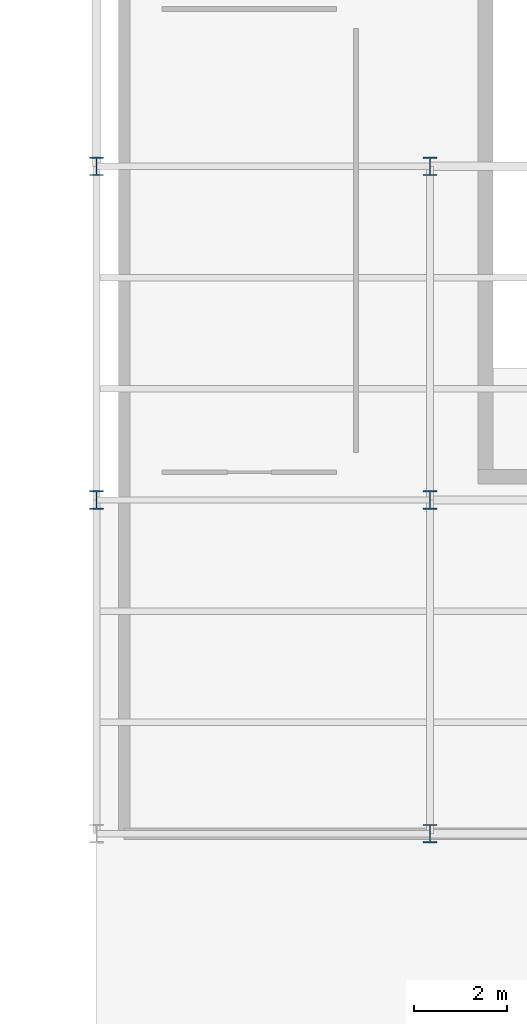
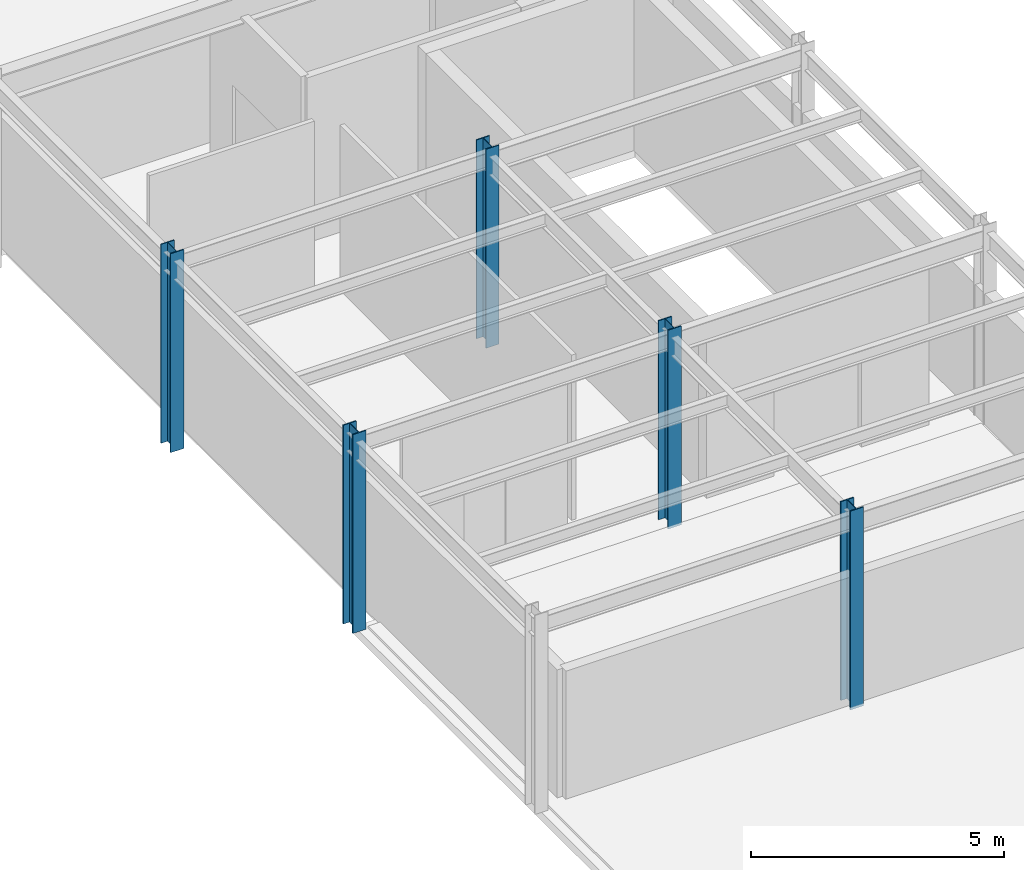
# One storey, part 2 of 41: 5 columns.
"""IFC4 building model written with IfcOpenShell, lengths in metres."""

from ifc_helpers import new_model, si_unit, direction, frame, origin, origin_2d, place, context, subcontext, project, spatial, i_section, extrude, material, material_profile, profile_set, type_object, element, save


model = new_model("IFC4")

# Units and contexts
model_context = context("Model", 3, precision=1e-05, world=origin(), true_north=direction((0.0, 1.0)))
body_context = subcontext(model_context, "Body", "Model", "MODEL_VIEW")
ifc_project = project(units=[si_unit("LENGTHUNIT", "METRE"), si_unit("AREAUNIT", "SQUARE_METRE"), si_unit("VOLUMEUNIT", "CUBIC_METRE"), si_unit("PLANEANGLEUNIT", "RADIAN"), si_unit("MASSUNIT", "GRAM", prefix="KILO")], contexts=[model_context])

# Site, building, storey
site_placement = place(None, origin())
site = spatial("IfcSite", under=ifc_project, at=site_placement, CompositionType="ELEMENT")
building_placement = place(site_placement, origin())
building = spatial("IfcBuilding", under=site, at=building_placement, Name="Solvadek Multi-Sports Hall", CompositionType="ELEMENT")
storey_placement = place(building_placement, frame((0.0, 0.0, 14.39990234375)))
storey = spatial("IfcBuildingStorey", under=building, at=storey_placement, Name="L03", CompositionType="ELEMENT", Elevation=14.39990234375)

# Columns
ifc_material = material(Name="Steel E350 (350 MPa)", Category="steel")
ifc_material_profile = material_profile(ifc_material, i_section(OverallWidth=0.300048828125, OverallDepth=0.39990234375, WebThickness=0.013427734375, FlangeThickness=0.02392578125, at=origin_2d()), Name="WPB 400")
ifc_profile_set = profile_set([ifc_material_profile], Name="Steel E350 (350 MPa)")
column_type = type_object("IfcColumnType", Name="STR-COL-WPB400", PredefinedType="COLUMN", material=ifc_profile_set)
for number, where, z_axis, x_axis, name in (
    (1, (57.60009765625, 42.0, 0.0), (0.0, 0.0, 1.0), (1.0, 0.0, 0.0), "L03 Column C-07 #119"),
    (2, (57.60009765625, 49.199951171875, 0.0), (0.0, 0.0, 1.0), (1.0, 0.0, 0.0), "L03 Column C-07 #120"),
    (3, (64.800048828125, 34.800048828125, 0.0), (0.0, 0.0, 1.0), (1.0, 0.0, 0.0), "L03 Column C-07 #134"),
    (4, (64.800048828125, 42.0, 0.0), (0.0, 0.0, 1.0), (1.0, 0.0, 0.0), "L03 Column C-07 #135"),
    (5, (64.800048828125, 49.199951171875, 0.0), (0.0, 0.0, 1.0), (1.0, 0.0, 0.0), "L03 Column C-07 #136"),
):
    element("IfcColumn", number, at=place(storey_placement, frame(where, z_axis=z_axis, x_axis=x_axis)), inside=storey, type_object=column_type, Name=name, PredefinedType="COLUMN", context=body_context, shape_type="SweptSolid", body=[
        extrude(i_section(OverallWidth=0.300048828125, OverallDepth=0.39990234375, WebThickness=0.013427734375, FlangeThickness=0.02392578125, at=origin_2d()), origin(), (0.0, 0.0, 1.0), 4.800048828125),
    ])

save(model, "model.ifc")
